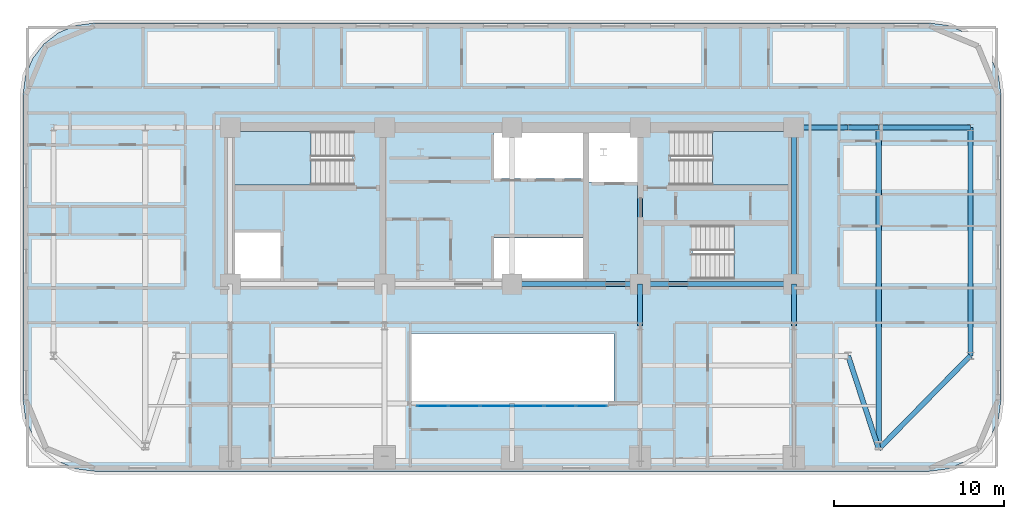
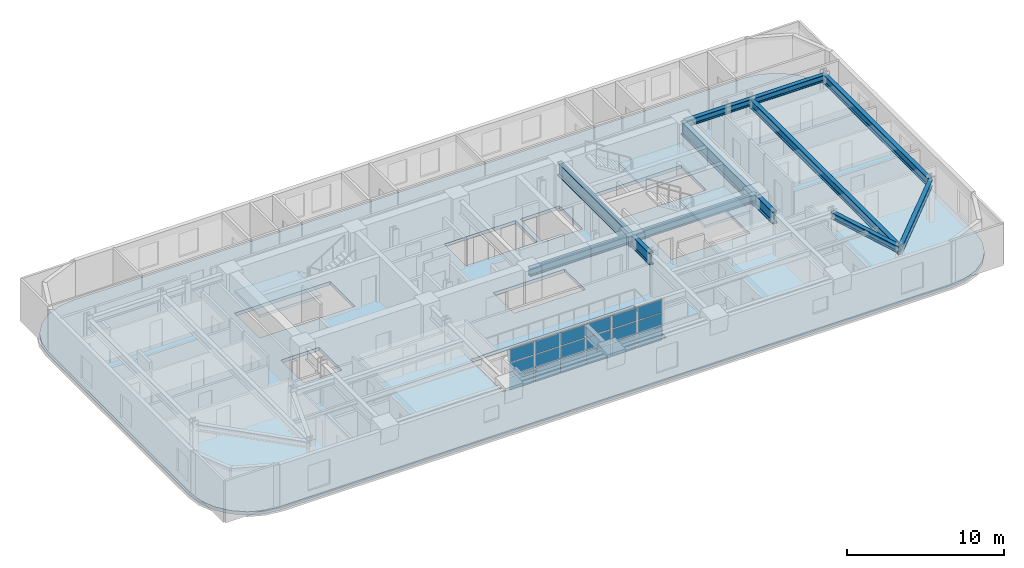
# One storey, part 6 of 16: 18 plates, 13 beams, 4 slabs, 4 elements without a shape of their own.
"""IFC4 building model written with IfcOpenShell, lengths in metres."""

from ifc_helpers import new_model, si_unit, direction, frame, origin, origin_2d, place, context, subcontext, project, spatial, polyline, rectangle, i_section, outline, extrude, material, layer, layer_set, material_profile, profile_set, type_object, element, aggregate, save


model = new_model("IFC4")

# Units and contexts
model_context = context("Model", 3, precision=1e-05, world=origin(), true_north=direction((0.0, 1.0)))
body_context = subcontext(model_context, "Body", "Model", "MODEL_VIEW")
ifc_project = project(units=[si_unit("LENGTHUNIT", "METRE"), si_unit("AREAUNIT", "SQUARE_METRE"), si_unit("VOLUMEUNIT", "CUBIC_METRE"), si_unit("PLANEANGLEUNIT", "RADIAN"), si_unit("MASSUNIT", "GRAM", prefix="KILO")], contexts=[model_context])

# Site, building, storey
site_placement = place(None, origin())
site = spatial("IfcSite", under=ifc_project, at=site_placement, CompositionType="ELEMENT")
building_placement = place(site_placement, origin())
building = spatial("IfcBuilding", under=site, at=building_placement, Name="Zarnavel Station Tower", CompositionType="ELEMENT")
storey_placement = place(building_placement, frame((0.0, 0.0, 94.300048828125)))
storey = spatial("IfcBuildingStorey", under=building, at=storey_placement, Name="L25", CompositionType="ELEMENT", Elevation=94.300048828125)

# Beams
ifc_material_1 = material(Name="Steel S355J2", Category="steel")
ifc_material_profile_1 = material_profile(ifc_material_1, i_section(OverallWidth=0.300048828125, OverallDepth=0.5, WebThickness=0.014404296875, FlangeThickness=0.028076171875, FilletRadius=0.027099609375, at=origin_2d()), Name="HEB500")
ifc_profile_set_1 = profile_set([ifc_material_profile_1], Name="Steel S355J2")
beam_type_1 = type_object("IfcBeamType", Name="FG_HEB500", PredefinedType="USERDEFINED", material=ifc_profile_set_1)
beam_1_placement = place(storey_placement, frame((45.544921875, 37.050048828125, 2.989990234375), z_axis=(1.0, 0.0, 0.0), x_axis=(0.0, 1.0, 0.0)))
element("IfcBeam", 1, at=beam_1_placement, inside=storey, type_object=beam_type_1, Name="L25 East Wing North Tie 1", ObjectType="GIRDER", PredefinedType="USERDEFINED", context=body_context, shape_type="SweptSolid", body=[
    extrude(i_section(OverallWidth=0.300048828125, OverallDepth=0.5, WebThickness=0.014404296875, FlangeThickness=0.028076171875, FilletRadius=0.027099609375, at=origin_2d()), origin(), (0.0, 0.0, 1.0), 3.05517578125),
])
beam_2_placement = place(storey_placement, frame((48.60009765625, 23.60009765625, 2.989990234375), z_axis=(0.311345612525, -0.950296748159, 0.0), x_axis=(0.950296748159, 0.311345612525, 0.0)))
element("IfcBeam", 2, at=beam_2_placement, inside=storey, type_object=beam_type_1, Name="L25 East Wing South Tie 2", ObjectType="GIRDER", PredefinedType="USERDEFINED", context=body_context, shape_type="SweptSolid", body=[
    extrude(i_section(OverallWidth=0.300048828125, OverallDepth=0.5, WebThickness=0.014404296875, FlangeThickness=0.028076171875, FilletRadius=0.027099609375, at=origin_2d()), origin(), (0.0, 0.0, 1.0), 5.78076171875),
])
beam_3_placement = place(storey_placement, frame((48.60009765625, 37.050048828125, 2.989990234375), z_axis=(1.0, 0.0, 0.0), x_axis=(0.0, 1.0, 0.0)))
element("IfcBeam", 3, at=beam_3_placement, inside=storey, type_object=beam_type_1, Name="L25 East Wing North Tie 2", ObjectType="GIRDER", PredefinedType="USERDEFINED", context=body_context, shape_type="SweptSolid", body=[
    extrude(i_section(OverallWidth=0.300048828125, OverallDepth=0.5, WebThickness=0.014404296875, FlangeThickness=0.028076171875, FilletRadius=0.027099609375, at=origin_2d()), origin(), (0.0, 0.0, 1.0), 1.7998046875),
])
beam_4_placement = place(storey_placement, frame((50.39990234375, 18.106689453125, 2.989990234375), z_axis=(0.70102742037, 0.713134318267, 0.0), x_axis=(-0.713134318267, 0.70102742037, 0.0)))
element("IfcBeam", 4, at=beam_4_placement, inside=storey, type_object=beam_type_1, Name="L25 East Wing South Tie 3", ObjectType="GIRDER", PredefinedType="USERDEFINED", context=body_context, shape_type="SweptSolid", body=[
    extrude(i_section(OverallWidth=0.300048828125, OverallDepth=0.5, WebThickness=0.014404296875, FlangeThickness=0.028076171875, FilletRadius=0.027099609375, at=origin_2d()), origin(), (0.0, 0.0, 1.0), 7.703125),
])
beam_5_placement = place(storey_placement, frame((50.39990234375, 37.050048828125, 2.989990234375), z_axis=(1.0, 0.0, 0.0), x_axis=(0.0, 1.0, 0.0)))
element("IfcBeam", 5, at=beam_5_placement, inside=storey, type_object=beam_type_1, Name="L25 East Wing North Tie 3", ObjectType="GIRDER", PredefinedType="USERDEFINED", context=body_context, shape_type="SweptSolid", body=[
    extrude(i_section(OverallWidth=0.300048828125, OverallDepth=0.5, WebThickness=0.014404296875, FlangeThickness=0.028076171875, FilletRadius=0.027099609375, at=origin_2d()), origin(), (0.0, 0.0, 1.0), 5.400146484375),
])
ifc_material_2 = material(Name="Steel S355J2", Category="steel")
ifc_material_profile_2 = material_profile(ifc_material_2, i_section(OverallWidth=0.300048828125, OverallDepth=0.60009765625, WebThickness=0.015380859375, FlangeThickness=0.030029296875, FilletRadius=0.027099609375, at=origin_2d()), Name="HEB600")
ifc_profile_set_2 = profile_set([ifc_material_profile_2], Name="Steel S355J2")
beam_type_2 = type_object("IfcBeamType", Name="FG_HEB600", PredefinedType="USERDEFINED", material=ifc_profile_set_2)
beam_6_placement = place(storey_placement, frame((28.800048828125, 27.820068359375, 2.93994140625), z_axis=(1.0, 0.0, 0.0), x_axis=(0.0, 1.0, 0.0)))
element("IfcBeam", 6, at=beam_6_placement, inside=storey, type_object=beam_type_2, Name="L25 Core Front Coupling Beam 3", ObjectType="GIRDER", PredefinedType="USERDEFINED", context=body_context, shape_type="SweptSolid", body=[
    extrude(i_section(OverallWidth=0.300048828125, OverallDepth=0.60009765625, WebThickness=0.015380859375, FlangeThickness=0.030029296875, FilletRadius=0.027099609375, at=origin_2d()), origin(), (0.0, 0.0, 1.0), 7.550048828125),
])
beam_7_placement = place(storey_placement, frame((36.35009765625, 27.820068359375, 2.93994140625), z_axis=(1.0, 0.0, 0.0), x_axis=(0.0, 1.0, 0.0)))
element("IfcBeam", 7, at=beam_7_placement, inside=storey, type_object=beam_type_2, Name="L25 Core Front Coupling Beam 4", ObjectType="GIRDER", PredefinedType="USERDEFINED", context=body_context, shape_type="SweptSolid", body=[
    extrude(i_section(OverallWidth=0.300048828125, OverallDepth=0.60009765625, WebThickness=0.015380859375, FlangeThickness=0.030029296875, FilletRadius=0.027099609375, at=origin_2d()), origin(), (0.0, 0.0, 1.0), 9.0498046875),
])
ifc_material_3 = material(Name="Steel S355J2", Category="steel")
ifc_material_profile_3 = material_profile(ifc_material_3, i_section(OverallWidth=0.300048828125, OverallDepth=0.64990234375, WebThickness=0.01611328125, FlangeThickness=0.031005859375, FilletRadius=0.027099609375, at=origin_2d()), Name="HEB650")
ifc_profile_set_3 = profile_set([ifc_material_profile_3], Name="Steel S355J2")
beam_type_3 = type_object("IfcBeamType", Name="FG_HEB650", PredefinedType="USERDEFINED", material=ifc_profile_set_3)
beam_8_placement = place(storey_placement, frame((50.39990234375, 18.106689453125, 2.9150390625), z_axis=(0.0, 1.0, 0.0), x_axis=(-1.0, 0.0, 0.0)))
element("IfcBeam", 8, at=beam_8_placement, inside=storey, type_object=beam_type_3, Name="L25 Wing NS Girder 3", ObjectType="GIRDER", PredefinedType="USERDEFINED", context=body_context, shape_type="SweptSolid", body=[
    extrude(i_section(OverallWidth=0.300048828125, OverallDepth=0.64990234375, WebThickness=0.01611328125, FlangeThickness=0.031005859375, FilletRadius=0.027099609375, at=origin_2d()), origin(), (0.0, 0.0, 1.0), 18.943359375),
])
beam_9_placement = place(storey_placement, frame((55.800048828125, 23.60009765625, 2.9150390625), z_axis=(0.0, 1.0, 0.0), x_axis=(-1.0, 0.0, 0.0)))
element("IfcBeam", 9, at=beam_9_placement, inside=storey, type_object=beam_type_3, Name="L25 Wing NS Girder 4", ObjectType="GIRDER", PredefinedType="USERDEFINED", context=body_context, shape_type="SweptSolid", body=[
    extrude(i_section(OverallWidth=0.300048828125, OverallDepth=0.64990234375, WebThickness=0.01611328125, FlangeThickness=0.031005859375, FilletRadius=0.027099609375, at=origin_2d()), origin(), (0.0, 0.0, 1.0), 13.449951171875),
])
ifc_material_4 = material(Name="Steel S460M", Category="steel")
ifc_material_profile_4 = material_profile(ifc_material_4, i_section(OverallWidth=0.302001953125, OverallDepth=1.008056640625, WebThickness=0.02099609375, FlangeThickness=0.0400390625, FilletRadius=0.030029296875, at=origin_2d()), Name="HEM1000")
ifc_profile_set_4 = profile_set([ifc_material_profile_4], Name="Steel S460M")
beam_type_4 = type_object("IfcBeamType", Name="TG_HEM1000", PredefinedType="USERDEFINED", material=ifc_profile_set_4)
for number, where, z_axis, x_axis, name in (
    (10, (36.35009765625, 27.820068359375, 2.73583984375), (0.0, 1.0, 0.0), (-1.0, 0.0, 0.0), "L25 Core Spine Coupling Girder 4"),
    (11, (45.39990234375, 27.820068359375, 2.73583984375), (0.0, 1.0, 0.0), (-1.0, 0.0, 0.0), "L25 Core Spine Coupling Girder 5"),
):
    element("IfcBeam", number, at=place(storey_placement, frame(where, z_axis=z_axis, x_axis=x_axis)), inside=storey, type_object=beam_type_4, Name=name, ObjectType="GIRDER", PredefinedType="USERDEFINED", context=body_context, shape_type="SweptSolid", body=[
        extrude(i_section(OverallWidth=0.302001953125, OverallDepth=1.008056640625, WebThickness=0.02099609375, FlangeThickness=0.0400390625, FilletRadius=0.030029296875, at=origin_2d()), origin(), (0.0, 0.0, 1.0), 9.22998046875),
    ])
ifc_material_5 = material(Name="Steel S460M", Category="steel")
ifc_material_profile_5 = material_profile(ifc_material_5, i_section(OverallWidth=0.302001953125, OverallDepth=0.909912109375, WebThickness=0.02099609375, FlangeThickness=0.0400390625, FilletRadius=0.030029296875, at=origin_2d()), Name="HEM900")
ifc_profile_set_5 = profile_set([ifc_material_profile_5], Name="Steel S460M")
beam_type_5 = type_object("IfcBeamType", Name="TG_HEM900", PredefinedType="USERDEFINED", material=ifc_profile_set_5)
for number, where, z_axis, x_axis, name in (
    (12, (36.35009765625, 25.35009765625, 2.784912109375), (0.0, 1.0, 0.0), (-1.0, 0.0, 0.0), "L25 Inner-Zone NS Girder 4"),
    (13, (45.39990234375, 25.35009765625, 2.784912109375), (0.0, 1.0, 0.0), (-1.0, 0.0, 0.0), "L25 Inner-Zone NS Girder 5"),
):
    element("IfcBeam", number, at=place(storey_placement, frame(where, z_axis=z_axis, x_axis=x_axis)), inside=storey, type_object=beam_type_5, Name=name, ObjectType="GIRDER", PredefinedType="USERDEFINED", context=body_context, shape_type="SweptSolid", body=[
        extrude(i_section(OverallWidth=0.302001953125, OverallDepth=0.909912109375, WebThickness=0.02099609375, FlangeThickness=0.0400390625, FilletRadius=0.030029296875, at=origin_2d()), origin(), (0.0, 0.0, 1.0), 2.469970703125),
    ])

# Curtain wall, plates
ifc_material_6 = material(Name="Aluminium Dark Anodised and Solar-Control Glass", Category="aluminium")
ifc_layer_1 = layer(ifc_material_6, 0.179931640625)
ifc_layer_set_1 = layer_set([ifc_layer_1], Name="CWS3")
curtain_wall_type = type_object("IfcCurtainWallType", Name="CWS3", PredefinedType="NOTDEFINED", material=ifc_layer_set_1)
curtain_wall_placement = place(storey_placement, origin())
curtain_wall = element("IfcCurtainWall", 14, at=curtain_wall_placement, inside=storey, type_object=curtain_wall_type, Name="L25 Curtain Wall CWS3-L25-AS", PredefinedType="NOTDEFINED")
ifc_material_7 = material(Name="Double Low-E Dark Solar-Control Glass", Category="glass")
ifc_layer_2 = layer(ifc_material_7, 0.030029296875)
ifc_layer_set_2 = layer_set([ifc_layer_2], Name="CWS3_PNL")
plate_type = type_object("IfcPlateType", Name="CWS3_PNL", PredefinedType="CURTAIN_PANEL", material=ifc_layer_set_2)
plate_1_placement = place(storey_placement, frame((24.106689453125, 20.64990234375, 0.06005859375), z_axis=(0.0, 0.0, 1.0), x_axis=(1.0, 0.0, 0.0)))
plate_1 = element("IfcPlate", 15, at=plate_1_placement, type_object=plate_type, Name="CW3 panel 1.1", PredefinedType="CURTAIN_PANEL", context=body_context, shape_type="SweptSolid", body=[
    extrude(rectangle(XDim=1.793212890625, YDim=0.028076171875, at=origin_2d()), origin(), (0.0, 0.0, 1.0), 0.989990234375),
])
plate_2_placement = place(storey_placement, frame((24.106689453125, 20.64990234375, 1.10986328125), z_axis=(0.0, 0.0, 1.0), x_axis=(1.0, 0.0, 0.0)))
plate_2 = element("IfcPlate", 16, at=plate_2_placement, type_object=plate_type, Name="CW3 panel 1.2", PredefinedType="CURTAIN_PANEL", context=body_context, shape_type="SweptSolid", body=[
    extrude(rectangle(XDim=1.793212890625, YDim=0.028076171875, at=origin_2d()), origin(), (0.0, 0.0, 1.0), 1.02001953125),
])
plate_3_placement = place(storey_placement, frame((24.106689453125, 20.64990234375, 2.18994140625), z_axis=(0.0, 0.0, 1.0), x_axis=(1.0, 0.0, 0.0)))
plate_3 = element("IfcPlate", 17, at=plate_3_placement, type_object=plate_type, Name="CW3 panel 1.3", PredefinedType="CURTAIN_PANEL", context=body_context, shape_type="SweptSolid", body=[
    extrude(rectangle(XDim=1.793212890625, YDim=0.028076171875, at=origin_2d()), origin(), (0.0, 0.0, 1.0), 0.989990234375),
])
plate_4_placement = place(storey_placement, frame((25.97509765625, 20.64990234375, 0.06005859375), z_axis=(0.0, 0.0, 1.0), x_axis=(1.0, 0.0, 0.0)))
plate_4 = element("IfcPlate", 18, at=plate_4_placement, type_object=plate_type, Name="CW3 panel 2.1", PredefinedType="CURTAIN_PANEL", context=body_context, shape_type="SweptSolid", body=[
    extrude(rectangle(XDim=1.8232421875, YDim=0.028076171875, at=origin_2d()), origin(), (0.0, 0.0, 1.0), 0.989990234375),
])
plate_5_placement = place(storey_placement, frame((25.97509765625, 20.64990234375, 1.10986328125), z_axis=(0.0, 0.0, 1.0), x_axis=(1.0, 0.0, 0.0)))
plate_5 = element("IfcPlate", 19, at=plate_5_placement, type_object=plate_type, Name="CW3 panel 2.2", PredefinedType="CURTAIN_PANEL", context=body_context, shape_type="SweptSolid", body=[
    extrude(rectangle(XDim=1.8232421875, YDim=0.028076171875, at=origin_2d()), origin(), (0.0, 0.0, 1.0), 1.02001953125),
])
plate_6_placement = place(storey_placement, frame((25.97509765625, 20.64990234375, 2.18994140625), z_axis=(0.0, 0.0, 1.0), x_axis=(1.0, 0.0, 0.0)))
plate_6 = element("IfcPlate", 20, at=plate_6_placement, type_object=plate_type, Name="CW3 panel 2.3", PredefinedType="CURTAIN_PANEL", context=body_context, shape_type="SweptSolid", body=[
    extrude(rectangle(XDim=1.8232421875, YDim=0.028076171875, at=origin_2d()), origin(), (0.0, 0.0, 1.0), 0.989990234375),
])
plate_7_placement = place(storey_placement, frame((27.8583984375, 20.64990234375, 0.06005859375), z_axis=(0.0, 0.0, 1.0), x_axis=(1.0, 0.0, 0.0)))
plate_7 = element("IfcPlate", 21, at=plate_7_placement, type_object=plate_type, Name="CW3 panel 3.1", PredefinedType="CURTAIN_PANEL", context=body_context, shape_type="SweptSolid", body=[
    extrude(rectangle(XDim=1.8232421875, YDim=0.028076171875, at=origin_2d()), origin(), (0.0, 0.0, 1.0), 0.989990234375),
])
plate_8_placement = place(storey_placement, frame((27.8583984375, 20.64990234375, 1.10986328125), z_axis=(0.0, 0.0, 1.0), x_axis=(1.0, 0.0, 0.0)))
plate_8 = element("IfcPlate", 22, at=plate_8_placement, type_object=plate_type, Name="CW3 panel 3.2", PredefinedType="CURTAIN_PANEL", context=body_context, shape_type="SweptSolid", body=[
    extrude(rectangle(XDim=1.8232421875, YDim=0.028076171875, at=origin_2d()), origin(), (0.0, 0.0, 1.0), 1.02001953125),
])
plate_9_placement = place(storey_placement, frame((27.8583984375, 20.64990234375, 2.18994140625), z_axis=(0.0, 0.0, 1.0), x_axis=(1.0, 0.0, 0.0)))
plate_9 = element("IfcPlate", 23, at=plate_9_placement, type_object=plate_type, Name="CW3 panel 3.3", PredefinedType="CURTAIN_PANEL", context=body_context, shape_type="SweptSolid", body=[
    extrude(rectangle(XDim=1.8232421875, YDim=0.028076171875, at=origin_2d()), origin(), (0.0, 0.0, 1.0), 0.989990234375),
])
plate_10_placement = place(storey_placement, frame((29.74169921875, 20.64990234375, 0.06005859375), z_axis=(0.0, 0.0, 1.0), x_axis=(1.0, 0.0, 0.0)))
plate_10 = element("IfcPlate", 24, at=plate_10_placement, type_object=plate_type, Name="CW3 panel 4.1", PredefinedType="CURTAIN_PANEL", context=body_context, shape_type="SweptSolid", body=[
    extrude(rectangle(XDim=1.8232421875, YDim=0.028076171875, at=origin_2d()), origin(), (0.0, 0.0, 1.0), 0.989990234375),
])
plate_11_placement = place(storey_placement, frame((29.74169921875, 20.64990234375, 1.10986328125), z_axis=(0.0, 0.0, 1.0), x_axis=(1.0, 0.0, 0.0)))
plate_11 = element("IfcPlate", 25, at=plate_11_placement, type_object=plate_type, Name="CW3 panel 4.2", PredefinedType="CURTAIN_PANEL", context=body_context, shape_type="SweptSolid", body=[
    extrude(rectangle(XDim=1.8232421875, YDim=0.028076171875, at=origin_2d()), origin(), (0.0, 0.0, 1.0), 1.02001953125),
])
plate_12_placement = place(storey_placement, frame((29.74169921875, 20.64990234375, 2.18994140625), z_axis=(0.0, 0.0, 1.0), x_axis=(1.0, 0.0, 0.0)))
plate_12 = element("IfcPlate", 26, at=plate_12_placement, type_object=plate_type, Name="CW3 panel 4.3", PredefinedType="CURTAIN_PANEL", context=body_context, shape_type="SweptSolid", body=[
    extrude(rectangle(XDim=1.8232421875, YDim=0.028076171875, at=origin_2d()), origin(), (0.0, 0.0, 1.0), 0.989990234375),
])
plate_13_placement = place(storey_placement, frame((31.625, 20.64990234375, 0.06005859375), z_axis=(0.0, 0.0, 1.0), x_axis=(1.0, 0.0, 0.0)))
plate_13 = element("IfcPlate", 27, at=plate_13_placement, type_object=plate_type, Name="CW3 panel 5.1", PredefinedType="CURTAIN_PANEL", context=body_context, shape_type="SweptSolid", body=[
    extrude(rectangle(XDim=1.8232421875, YDim=0.028076171875, at=origin_2d()), origin(), (0.0, 0.0, 1.0), 0.989990234375),
])
plate_14_placement = place(storey_placement, frame((31.625, 20.64990234375, 1.10986328125), z_axis=(0.0, 0.0, 1.0), x_axis=(1.0, 0.0, 0.0)))
plate_14 = element("IfcPlate", 28, at=plate_14_placement, type_object=plate_type, Name="CW3 panel 5.2", PredefinedType="CURTAIN_PANEL", context=body_context, shape_type="SweptSolid", body=[
    extrude(rectangle(XDim=1.8232421875, YDim=0.028076171875, at=origin_2d()), origin(), (0.0, 0.0, 1.0), 1.02001953125),
])
plate_15_placement = place(storey_placement, frame((31.625, 20.64990234375, 2.18994140625), z_axis=(0.0, 0.0, 1.0), x_axis=(1.0, 0.0, 0.0)))
plate_15 = element("IfcPlate", 29, at=plate_15_placement, type_object=plate_type, Name="CW3 panel 5.3", PredefinedType="CURTAIN_PANEL", context=body_context, shape_type="SweptSolid", body=[
    extrude(rectangle(XDim=1.8232421875, YDim=0.028076171875, at=origin_2d()), origin(), (0.0, 0.0, 1.0), 0.989990234375),
])
plate_16_placement = place(storey_placement, frame((33.493408203125, 20.64990234375, 0.06005859375), z_axis=(0.0, 0.0, 1.0), x_axis=(1.0, 0.0, 0.0)))
plate_16 = element("IfcPlate", 30, at=plate_16_placement, type_object=plate_type, Name="CW3 panel 6.1", PredefinedType="CURTAIN_PANEL", context=body_context, shape_type="SweptSolid", body=[
    extrude(rectangle(XDim=1.793212890625, YDim=0.028076171875, at=origin_2d()), origin(), (0.0, 0.0, 1.0), 0.989990234375),
])
plate_17_placement = place(storey_placement, frame((33.493408203125, 20.64990234375, 1.10986328125), z_axis=(0.0, 0.0, 1.0), x_axis=(1.0, 0.0, 0.0)))
plate_17 = element("IfcPlate", 31, at=plate_17_placement, type_object=plate_type, Name="CW3 panel 6.2", PredefinedType="CURTAIN_PANEL", context=body_context, shape_type="SweptSolid", body=[
    extrude(rectangle(XDim=1.793212890625, YDim=0.028076171875, at=origin_2d()), origin(), (0.0, 0.0, 1.0), 1.02001953125),
])
plate_18_placement = place(storey_placement, frame((33.493408203125, 20.64990234375, 2.18994140625), z_axis=(0.0, 0.0, 1.0), x_axis=(1.0, 0.0, 0.0)))
plate_18 = element("IfcPlate", 32, at=plate_18_placement, type_object=plate_type, Name="CW3 panel 6.3", PredefinedType="CURTAIN_PANEL", context=body_context, shape_type="SweptSolid", body=[
    extrude(rectangle(XDim=1.793212890625, YDim=0.028076171875, at=origin_2d()), origin(), (0.0, 0.0, 1.0), 0.989990234375),
])
aggregate(curtain_wall, [plate_1, plate_2, plate_3, plate_4, plate_5, plate_6, plate_7, plate_8, plate_9, plate_10, plate_11, plate_12, plate_13, plate_14, plate_15, plate_16, plate_17, plate_18])

# Slab
ifc_material_8 = material(Name="Concrete C45/55", Category="concrete")
ifc_layer_3 = layer(ifc_material_8, 0.260009765625)
ifc_layer_set_3 = layer_set([ifc_layer_3], Name="SL_FLR_260")
slab_type_1 = type_object("IfcSlabType", Name="SL_FLR_260", PredefinedType="FLOOR", material=ifc_layer_set_3)
slab_1_placement = place(storey_placement, frame((0.0, 0.0, -0.260009765625)))
element("IfcSlab", 33, at=slab_1_placement, inside=storey, type_object=slab_type_1, Name="L25 Structural Floor Slab", PredefinedType="FLOOR", context=body_context, shape_type="SweptSolid", body=[
    extrude(outline(polyline([(53.39990234375, 16.800048828125), (54.487060546875, 16.943115234375), (55.5, 17.36279296875), (56.369873046875, 18.0302734375), (57.037353515625, 18.89990234375), (57.456787109375, 19.9130859375), (57.60009765625, 21.0), (57.60009765625, 39.0), (57.456787109375, 40.0869140625), (57.037353515625, 41.10009765625), (56.369873046875, 41.9697265625), (55.5, 42.63720703125), (54.487060546875, 43.056884765625), (53.39990234375, 43.199951171875), (4.199951171875, 43.199951171875), (3.113037109375, 43.056884765625), (2.10009765625, 42.63720703125), (1.230224609375, 41.9697265625), (0.562744140625, 41.10009765625), (0.14306640625, 40.0869140625), (0.0, 39.0), (0.0, 21.0), (0.14306640625, 19.9130859375), (0.562744140625, 18.89990234375), (1.230224609375, 18.0302734375), (2.10009765625, 17.36279296875), (3.113037109375, 16.943115234375), (4.199951171875, 16.800048828125), (53.39990234375, 16.800048828125)]), holes=[polyline([(12.39990234375, 33.659912109375), (19.409912109375, 33.659912109375), (19.409912109375, 36.820068359375), (12.39990234375, 36.820068359375), (12.39990234375, 33.659912109375)]), polyline([(38.14990234375, 33.659912109375), (45.159912109375, 33.659912109375), (45.159912109375, 36.820068359375), (38.14990234375, 36.820068359375), (38.14990234375, 33.659912109375)]), polyline([(39.419921875, 28.1201171875), (45.14990234375, 28.1201171875), (45.14990234375, 31.280029296875), (39.419921875, 31.280029296875), (39.419921875, 28.1201171875)]), polyline([(12.35009765625, 27.949951171875), (15.14990234375, 27.949951171875), (15.14990234375, 30.85009765625), (12.35009765625, 30.85009765625), (12.35009765625, 27.949951171875)]), polyline([(33.320068359375, 33.85009765625), (36.2099609375, 33.85009765625), (36.2099609375, 36.780029296875), (33.320068359375, 36.780029296875), (33.320068359375, 33.85009765625)]), polyline([(27.75, 34.050048828125), (32.97998046875, 34.050048828125), (32.97998046875, 36.780029296875), (27.75, 36.780029296875), (27.75, 34.050048828125)]), polyline([(27.75, 27.949951171875), (32.97998046875, 27.949951171875), (32.97998046875, 30.550048828125), (27.75, 30.550048828125), (27.75, 27.949951171875)]), polyline([(22.800048828125, 20.800048828125), (34.800048828125, 20.800048828125), (34.800048828125, 24.89990234375), (22.800048828125, 24.89990234375), (22.800048828125, 20.800048828125)])]), origin(), (0.0, 0.0, 1.0), 0.260009765625),
])

# Stair, slab
ifc_material_9 = material(Name="Concrete C45/55", Category="concrete")
stair_type = type_object("IfcStairType", Name="ST_CORE_150", PredefinedType="HALF_TURN_STAIR", material=ifc_material_9)
stair_1_placement = place(storey_placement, origin())
stair_1 = element("IfcStair", 34, at=stair_1_placement, inside=storey, type_object=stair_type, Name="L25 Core Exit Stair ST1", PredefinedType="HALF_TURN_STAIR")
ifc_material_10 = material(Name="Concrete C45/55", Category="concrete")
ifc_layer_4 = layer(ifc_material_10, 0.199951171875)
ifc_layer_set_4 = layer_set([ifc_layer_4], Name="SL_STAIR_LAND_200")
slab_type_2 = type_object("IfcSlabType", Name="SL_STAIR_LAND_200", PredefinedType="LANDING", material=ifc_layer_set_4)
slab_2_placement = place(storey_placement, frame((0.0, 0.0, 1.550048828125)))
slab_2 = element("IfcSlab", 35, at=slab_2_placement, type_object=slab_type_2, Name="ST1 landing 1", PredefinedType="LANDING", context=body_context, shape_type="SweptSolid", body=[
    extrude(outline(polyline([(16.9599609375, 36.820068359375), (12.39990234375, 36.820068359375), (12.39990234375, 33.659912109375), (16.9599609375, 33.659912109375), (16.9599609375, 36.820068359375)])), origin(), (0.0, 0.0, 1.0), 0.199951171875),
])
aggregate(stair_1, [slab_2])

stair_2_placement = place(storey_placement, origin())
stair_2 = element("IfcStair", 36, at=stair_2_placement, inside=storey, type_object=stair_type, Name="L25 Core Exit Stair ST2", PredefinedType="HALF_TURN_STAIR")
slab_3_placement = place(storey_placement, frame((0.0, 0.0, 1.550048828125)))
slab_3 = element("IfcSlab", 37, at=slab_3_placement, type_object=slab_type_2, Name="ST2 landing 1", PredefinedType="LANDING", context=body_context, shape_type="SweptSolid", body=[
    extrude(outline(polyline([(40.60009765625, 33.659912109375), (45.159912109375, 33.659912109375), (45.159912109375, 36.820068359375), (40.60009765625, 36.820068359375), (40.60009765625, 33.659912109375)])), origin(), (0.0, 0.0, 1.0), 0.199951171875),
])
aggregate(stair_2, [slab_3])

stair_3_placement = place(storey_placement, origin())
stair_3 = element("IfcStair", 38, at=stair_3_placement, inside=storey, type_object=stair_type, Name="L25 Core Exit Stair ST3", PredefinedType="HALF_TURN_STAIR")
slab_4_placement = place(storey_placement, frame((0.0, 0.0, 1.550048828125)))
slab_4 = element("IfcSlab", 39, at=slab_4_placement, type_object=slab_type_2, Name="ST3 landing 1", PredefinedType="LANDING", context=body_context, shape_type="SweptSolid", body=[
    extrude(outline(polyline([(41.8701171875, 28.1201171875), (45.14990234375, 28.1201171875), (45.14990234375, 31.280029296875), (41.8701171875, 31.280029296875), (41.8701171875, 28.1201171875)])), origin(), (0.0, 0.0, 1.0), 0.199951171875),
])
aggregate(stair_3, [slab_4])

save(model, "model.ifc")
